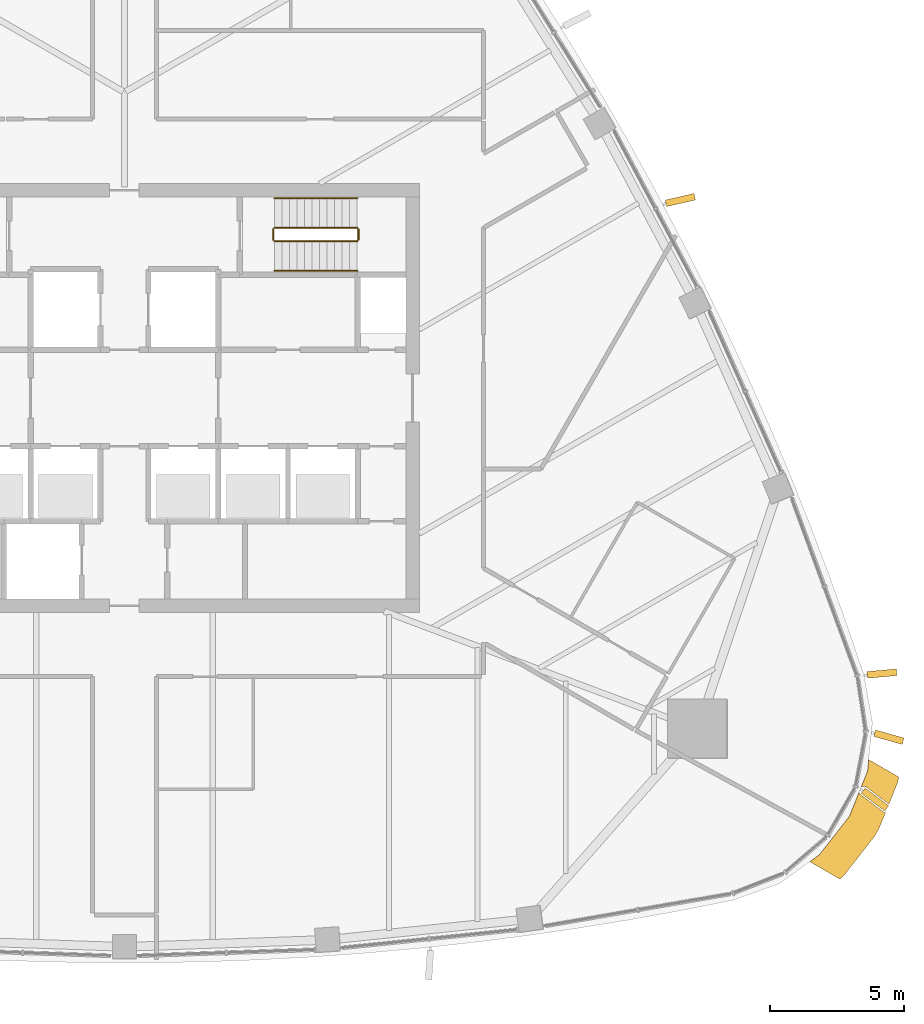
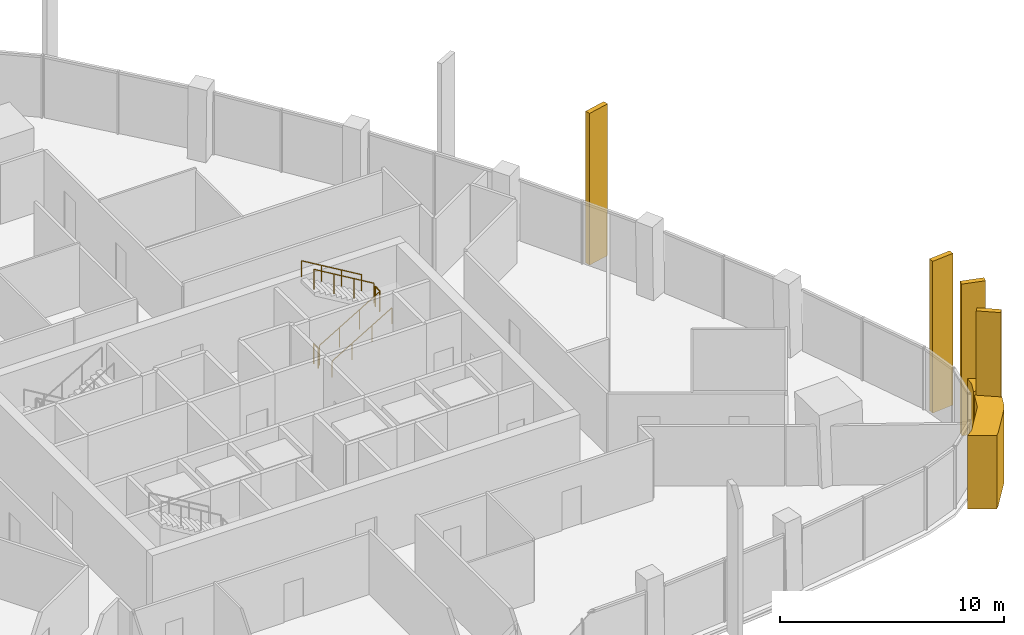
# One storey, part 16 of 18: 6 coverings, 6 railings.
"""IFC4 building model written with IfcOpenShell, lengths in metres."""

from ifc_helpers import new_model, si_unit, direction, frame, origin, origin_2d, place, context, subcontext, project, spatial, polyline, rectangle, circle, outline, extrude, material, layer, layer_set, material_profile, profile_set, type_object, element, save


model = new_model("IFC4")

# Units and contexts
model_context = context("Model", 3, precision=1e-05, world=origin(), true_north=direction((0.0, 1.0)))
body_context = subcontext(model_context, "Body", "Model", "MODEL_VIEW")
ifc_project = project(units=[si_unit("LENGTHUNIT", "METRE"), si_unit("AREAUNIT", "SQUARE_METRE"), si_unit("VOLUMEUNIT", "CUBIC_METRE"), si_unit("PLANEANGLEUNIT", "RADIAN"), si_unit("MASSUNIT", "GRAM", prefix="KILO")], contexts=[model_context])

# Site, building, storey
site_placement = place(None, origin())
site = spatial("IfcSite", under=ifc_project, at=site_placement, CompositionType="ELEMENT")
building_placement = place(site_placement, origin())
building = spatial("IfcBuilding", under=site, at=building_placement, Name="Sierra Prisma Convention Tower", CompositionType="ELEMENT")
storey_placement = place(building_placement, frame((0.0, 0.0, 263.0)))
storey = spatial("IfcBuildingStorey", under=building, at=storey_placement, Name="L59", CompositionType="ELEMENT", Elevation=263.0)

# Coverings
ifc_material_1 = material(Name="Aluminium composite bronze anodised", Category="aluminium")
ifc_layer = layer(ifc_material_1, 1.199951171875)
ifc_layer_set = layer_set([ifc_layer], Name="Bronze corner pier")
covering_type_1 = type_object("IfcCoveringType", Name="Bronze corner pier", PredefinedType="CLADDING", material=ifc_layer_set)
covering_1_placement = place(storey_placement, frame((0.0, 0.0, -0.60009765625)))
element("IfcCovering", 1, at=covering_1_placement, inside=storey, type_object=covering_type_1, Name="Corner pier SE L59.1", PredefinedType="CLADDING", context=body_context, shape_type="SweptSolid", body=[
    extrude(outline(polyline([(28.33740234375, -15.4541015625), (28.341796875, -15.456298828125), (28.34619140625, -15.458251953125), (28.350830078125, -15.459716796875), (28.355712890625, -15.460693359375), (28.360595703125, -15.461181640625), (28.365478515625, -15.461181640625), (28.370361328125, -15.460693359375), (28.375244140625, -15.459716796875), (28.3798828125, -15.45849609375), (28.384521484375, -15.45654296875), (28.388916015625, -15.454345703125), (28.392822265625, -15.45166015625), (28.396728515625, -15.448486328125), (28.400146484375, -15.445068359375), (28.4033203125, -15.44140625), (28.406982421875, -15.4365234375), (28.15478515625, -16.0615234375), (27.987060546875, -16.35205078125), (26.86474609375, -17.786865234375), (26.693359375, -17.951904296875), (25.56787109375, -17.302001953125), (25.919677734375, -17.04736328125), (27.0419921875, -15.61279296875), (27.405517578125, -14.7109375), (27.44091796875, -14.774169921875), (27.443603515625, -14.778564453125), (27.44677734375, -14.78271484375), (27.450439453125, -14.786376953125), (27.454345703125, -14.789794921875), (28.33349609375, -15.451171875), (28.33740234375, -15.4541015625)])), origin(), (0.0, 0.0, 1.0), 4.0),
])
covering_2_placement = place(storey_placement, frame((0.0, 0.0, -0.60009765625)))
element("IfcCovering", 2, at=covering_2_placement, inside=storey, type_object=covering_type_1, Name="Corner pier SE L59.2", PredefinedType="CLADDING", context=body_context, shape_type="SweptSolid", body=[
    extrude(outline(polyline([(27.63720703125, -14.5), (27.63232421875, -14.5), (27.48779296875, -14.507568359375), (27.723388671875, -13.92333984375), (27.767822265625, -13.491455078125), (28.893310546875, -14.141357421875), (28.836181640625, -14.3720703125), (28.520751953125, -15.154296875), (27.664794921875, -14.510009765625), (27.660888671875, -14.50732421875), (27.656494140625, -14.5048828125), (27.65185546875, -14.5029296875), (27.647216796875, -14.501708984375), (27.64208984375, -14.50048828125), (27.63720703125, -14.5)])), origin(), (0.0, 0.0, 1.0), 4.0),
])
ifc_material_2 = material(Name="Aluminium 6063-T6 bronze anodised", Category="aluminium")
ifc_material_profile = material_profile(ifc_material_2, rectangle(XDim=1.10009765625, YDim=0.25, at=origin_2d()), Name="ALU FIN 1100x250")
ifc_profile_set = profile_set([ifc_material_profile], Name="Aluminium 6063-T6 bronze anodised")
covering_type_2 = type_object("IfcCoveringType", Name="Bronze facade fin", PredefinedType="CLADDING", material=ifc_profile_set)
for number, where, z_axis, x_axis, name in (
    (3, (27.9990234375, -14.980712890625, -0.300048828125), (0.0, 0.0, 1.0), (0.799024772538, -0.601298106492, 0.0), "Fin L59.21"),
    (4, (28.51904296875, -12.656494140625, -0.300048828125), (0.0, 0.0, 1.0), (0.961794972548, -0.273770763196, 0.0), "Fin L59.22"),
    (5, (28.260009765625, -10.281982421875, -0.300048828125), (0.0, 0.0, 1.0), (0.995907495461, 0.090378429305, 0.0), "Fin L59.23"),
    (6, (20.739501953125, 7.385009765625, -0.300048828125), (0.0, 0.0, 1.0), (0.974559229265, 0.224130115456, 0.0), "Fin L59.30"),
):
    element("IfcCovering", number, at=place(storey_placement, frame(where, z_axis=z_axis, x_axis=x_axis)), inside=storey, type_object=covering_type_2, Name=name, ObjectType="FIN", PredefinedType="CLADDING", context=body_context, shape_type="SweptSolid", body=[
        extrude(rectangle(XDim=1.10009765625, YDim=0.25, at=origin_2d()), origin(), (0.0, 0.0, 1.0), 8.25),
    ])

# Railings
ifc_material_3 = material(Name="Stainless steel", Category="steel")
railing_type_1 = type_object("IfcRailingType", Name="Exit stair handrail", PredefinedType="HANDRAIL", material=ifc_material_3)
railing_1_placement = place(storey_placement, frame((5.60009765625, 4.75, 0.166748046875)))
element("IfcRailing", 7, at=railing_1_placement, inside=storey, type_object=railing_type_1, Name="L59 S4 stair handrail 1", PredefinedType="HANDRAIL", context=body_context, shape_type="SweptSolid", body=[
    extrude(circle(Radius=0.02392578125, at=origin_2d()), frame((0.0, 0.0, 0.8759765625), z_axis=(0.859290745958, 0.0, 0.51148745235), x_axis=(0.0, 1.0, 0.0)), (0.0, 0.0, 1.0), 3.584228515625),
    extrude(circle(Radius=0.02099609375, at=origin_2d()), origin(), (0.0, 0.0, 1.0), 0.851806640625),
    extrude(circle(Radius=0.02099609375, at=origin_2d()), frame((1.026611328125, 0.0, 0.611083984375)), (0.0, 0.0, 1.0), 0.851806640625),
    extrude(circle(Radius=0.02099609375, at=origin_2d()), frame((2.05322265625, 0.0, 1.22216796875)), (0.0, 0.0, 1.0), 0.851806640625),
    extrude(circle(Radius=0.02099609375, at=origin_2d()), frame((3.079833984375, 0.0, 1.833251953125)), (0.0, 0.0, 1.0), 0.851806640625),
])
railing_2_placement = place(storey_placement, frame((8.679931640625, 7.449951171875, 2.166748046875)))
element("IfcRailing", 8, at=railing_2_placement, inside=storey, type_object=railing_type_1, Name="L59 S4 stair handrail 2", PredefinedType="HANDRAIL", context=body_context, shape_type="SweptSolid", body=[
    extrude(circle(Radius=0.02392578125, at=origin_2d()), frame((0.0, 0.0, 0.8759765625), z_axis=(-0.859290745958, 0.0, 0.51148745235), x_axis=(0.0, -1.0, 0.0)), (0.0, 0.0, 1.0), 3.584228515625),
    extrude(circle(Radius=0.02099609375, at=origin_2d()), origin(), (0.0, 0.0, 1.0), 0.851806640625),
    extrude(circle(Radius=0.02099609375, at=origin_2d()), frame((-1.026611328125, 0.0, 0.611083984375)), (0.0, 0.0, 1.0), 0.851806640625),
    extrude(circle(Radius=0.02099609375, at=origin_2d()), frame((-2.05322265625, 0.0, 1.22216796875)), (0.0, 0.0, 1.0), 0.851806640625),
    extrude(circle(Radius=0.02099609375, at=origin_2d()), frame((-3.079833984375, 0.0, 1.833251953125)), (0.0, 0.0, 1.0), 0.851806640625),
])
ifc_material_4 = material(Name="Stainless steel", Category="steel")
railing_type_2 = type_object("IfcRailingType", Name="Stair guard 1100", PredefinedType="GUARDRAIL", material=ifc_material_4)
railing_3_placement = place(storey_placement, frame((5.60009765625, 5.85009765625, 0.166748046875)))
element("IfcRailing", 9, at=railing_3_placement, inside=storey, type_object=railing_type_2, Name="L59 S4 stair guard 1", PredefinedType="GUARDRAIL", context=body_context, shape_type="SweptSolid", body=[
    extrude(circle(Radius=0.02392578125, at=origin_2d()), frame((0.0, 0.0, 1.076171875), z_axis=(0.859290745958, 0.0, 0.51148745235), x_axis=(0.0, 1.0, 0.0)), (0.0, 0.0, 1.0), 3.584228515625),
    extrude(circle(Radius=0.02099609375, at=origin_2d()), origin(), (0.0, 0.0, 1.0), 1.052001953125),
    extrude(circle(Radius=0.02099609375, at=origin_2d()), frame((1.026611328125, 0.0, 0.611083984375)), (0.0, 0.0, 1.0), 1.052001953125),
    extrude(circle(Radius=0.02099609375, at=origin_2d()), frame((2.05322265625, 0.0, 1.22216796875)), (0.0, 0.0, 1.0), 1.052001953125),
    extrude(circle(Radius=0.02099609375, at=origin_2d()), frame((3.079833984375, 0.0, 1.833251953125)), (0.0, 0.0, 1.0), 1.052001953125),
])
railing_4_placement = place(storey_placement, frame((8.72998046875, 5.89990234375, 2.0)))
element("IfcRailing", 10, at=railing_4_placement, inside=storey, type_object=railing_type_2, Name="L59 S4 stair guard 2", PredefinedType="GUARDRAIL", context=body_context, shape_type="SweptSolid", body=[
    extrude(circle(Radius=0.02392578125, at=origin_2d()), frame((0.0, 0.0, 1.076171875), z_axis=(0.0, 1.0, 0.0), x_axis=(-1.0, 0.0, 0.0)), (0.0, 0.0, 1.0), 0.400146484375),
    extrude(circle(Radius=0.02099609375, at=origin_2d()), origin(), (0.0, 0.0, 1.0), 1.052001953125),
    extrude(circle(Radius=0.02099609375, at=origin_2d()), frame((0.0, 0.400146484375, 0.0)), (0.0, 0.0, 1.0), 1.052001953125),
])
railing_5_placement = place(storey_placement, frame((8.679931640625, 6.35009765625, 2.166748046875)))
element("IfcRailing", 11, at=railing_5_placement, inside=storey, type_object=railing_type_2, Name="L59 S4 stair guard 3", PredefinedType="GUARDRAIL", context=body_context, shape_type="SweptSolid", body=[
    extrude(circle(Radius=0.02392578125, at=origin_2d()), frame((0.0, 0.0, 1.076171875), z_axis=(-0.859290745958, 0.0, 0.51148745235), x_axis=(0.0, -1.0, 0.0)), (0.0, 0.0, 1.0), 3.584228515625),
    extrude(circle(Radius=0.02099609375, at=origin_2d()), origin(), (0.0, 0.0, 1.0), 1.052001953125),
    extrude(circle(Radius=0.02099609375, at=origin_2d()), frame((-1.026611328125, 0.0, 0.611083984375)), (0.0, 0.0, 1.0), 1.052001953125),
    extrude(circle(Radius=0.02099609375, at=origin_2d()), frame((-2.05322265625, 0.0, 1.22216796875)), (0.0, 0.0, 1.0), 1.052001953125),
    extrude(circle(Radius=0.02099609375, at=origin_2d()), frame((-3.079833984375, 0.0, 1.833251953125)), (0.0, 0.0, 1.0), 1.052001953125),
])
railing_6_placement = place(storey_placement, frame((5.550048828125, 5.89990234375, 0.0)))
element("IfcRailing", 12, at=railing_6_placement, inside=storey, type_object=railing_type_2, Name="L59 S4 stair guard 4", PredefinedType="GUARDRAIL", context=body_context, shape_type="SweptSolid", body=[
    extrude(circle(Radius=0.02392578125, at=origin_2d()), frame((0.0, 0.0, 1.076171875), z_axis=(0.0, 1.0, 0.0), x_axis=(-1.0, 0.0, 0.0)), (0.0, 0.0, 1.0), 0.400146484375),
    extrude(circle(Radius=0.02099609375, at=origin_2d()), origin(), (0.0, 0.0, 1.0), 1.052001953125),
    extrude(circle(Radius=0.02099609375, at=origin_2d()), frame((0.0, 0.400146484375, 0.0)), (0.0, 0.0, 1.0), 1.052001953125),
])

save(model, "model.ifc")
